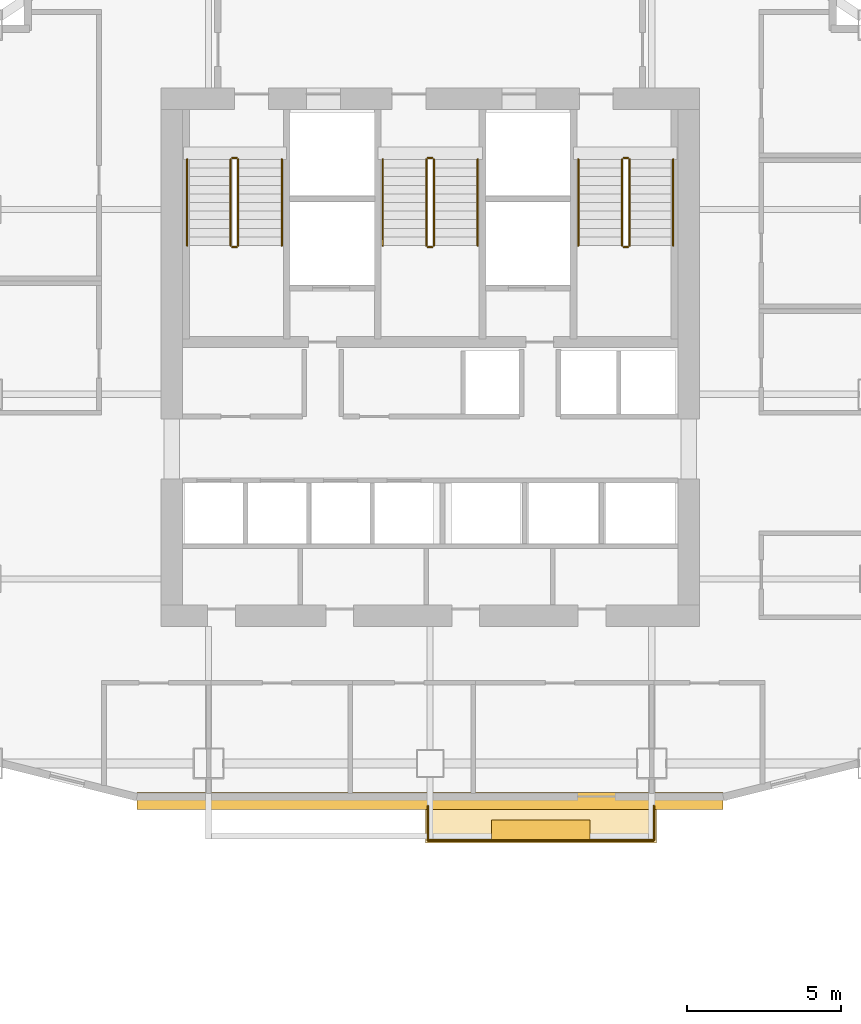
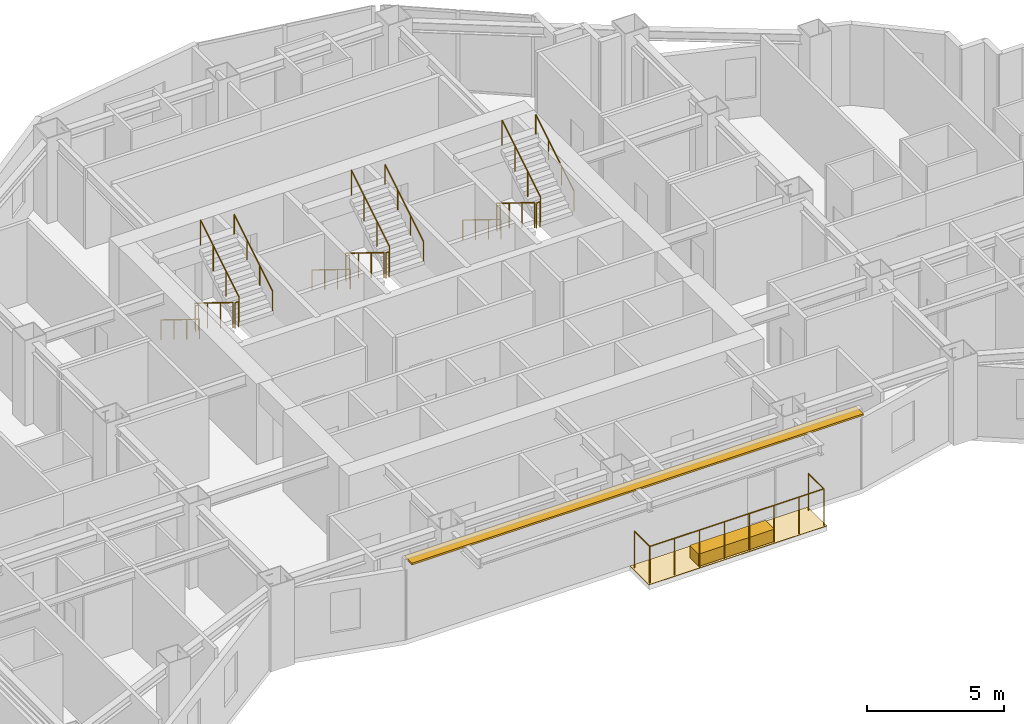
# One storey, part 13 of 13: 20 railings, 2 coverings, 1 shading device.
"""IFC4 building model written with IfcOpenShell, lengths in metres."""

from ifc_helpers import new_model, si_unit, direction, frame, origin, origin_2d, place, context, subcontext, project, spatial, polyline, rectangle, circle, outline, extrude, material, layer, layer_set, type_object, element, save


model = new_model("IFC4")

# Units and contexts
model_context = context("Model", 3, precision=1e-05, world=origin(), true_north=direction((0.0, 1.0)))
body_context = subcontext(model_context, "Body", "Model", "MODEL_VIEW")
ifc_project = project(units=[si_unit("LENGTHUNIT", "METRE"), si_unit("AREAUNIT", "SQUARE_METRE"), si_unit("VOLUMEUNIT", "CUBIC_METRE"), si_unit("PLANEANGLEUNIT", "RADIAN"), si_unit("MASSUNIT", "GRAM", prefix="KILO")], contexts=[model_context])

# Site, building, storey
site_placement = place(None, origin())
site = spatial("IfcSite", under=ifc_project, at=site_placement, CompositionType="ELEMENT")
building_placement = place(site_placement, origin())
building = spatial("IfcBuilding", under=site, at=building_placement, Name="Haolan Belvedere Tower", CompositionType="ELEMENT")
storey_placement = place(building_placement, frame((0.0, 0.0, 117.39990234375)))
storey = spatial("IfcBuildingStorey", under=building, at=storey_placement, Name="L29", CompositionType="ELEMENT", Elevation=117.39990234375)

# Coverings
ifc_material_1 = material(Name="Engineered lightweight planted garden soil substrate", Category="masonry")
ifc_layer_1 = layer(ifc_material_1, 0.550048828125, Name="Engineered lightweight planted garden soil substrate")
ifc_layer_set_1 = layer_set([ifc_layer_1], Name="Engineered lightweight planted garden soil substrate")
covering_type_1 = type_object("IfcCoveringType", Name="COV-PLANT-550", PredefinedType="MEMBRANE", material=ifc_layer_set_1)
covering_1_placement = place(storey_placement, frame((42.0, 19.43994140625, 0.0), z_axis=(0.0, 0.0, 1.0), x_axis=(1.0, 0.0, 0.0)))
element("IfcCovering", 1, at=covering_1_placement, inside=storey, type_object=covering_type_1, Name="L29 structural tree balcony PLANTER box 1", PredefinedType="MEMBRANE", context=body_context, shape_type="SweptSolid", body=[
    extrude(rectangle(XDim=3.199951171875, YDim=0.64990234375, at=origin_2d()), origin(), (0.0, 0.0, 1.0), 0.550048828125),
])
ifc_material_2 = material(Name="Elastomeric waterproof roofing membrane and stone pavers", Category="masonry")
ifc_layer_2 = layer(ifc_material_2, 0.02001953125, Name="Elastomeric waterproof roofing membrane and stone pavers")
ifc_layer_set_2 = layer_set([ifc_layer_2], Name="Elastomeric waterproof roofing membrane and stone pavers")
covering_type_2 = type_object("IfcCoveringType", Name="COV-ROOF-20", PredefinedType="ROOFING", material=ifc_layer_set_2)
covering_2_placement = place(storey_placement, frame((0.0, 0.0, -0.02001953125)))
element("IfcCovering", 2, at=covering_2_placement, inside=storey, type_object=covering_type_2, Name="L29 tree-balcony waterproof membrane 1", PredefinedType="ROOFING", context=body_context, shape_type="SweptSolid", body=[
    extrude(outline(polyline([(38.25, 19.02001953125), (45.75, 19.02001953125), (45.75, 20.39990234375), (38.25, 20.39990234375), (38.25, 19.02001953125)])), origin(), (0.0, 0.0, 1.0), 0.02001953125),
])

# Railings
ifc_material_3 = material(Name="Brushed stainless steel 304", Category="steel")
railing_type_1 = type_object("IfcRailingType", Name="RL-STAIR-GRD-1150", PredefinedType="GUARDRAIL", material=ifc_material_3)
railing_1_placement = place(storey_placement, frame((31.919921875, 41.22998046875, 0.1728515625)))
element("IfcRailing", 3, at=railing_1_placement, inside=storey, type_object=railing_type_1, Name="L29 ST1 stair guard 1", PredefinedType="GUARDRAIL", context=body_context, shape_type="SweptSolid", body=[
    extrude(circle(Radius=0.02392578125, at=origin_2d()), frame((0.0, 0.0, 1.1259765625), z_axis=(0.0, -0.851089632645, 0.525020415988), x_axis=(1.0, 0.0, 0.0)), (0.0, 0.0, 1.0), 3.2900390625),
    extrude(circle(Radius=0.02099609375, at=origin_2d()), origin(), (0.0, 0.0, 1.0), 1.101806640625),
    extrude(circle(Radius=0.02099609375, at=origin_2d()), frame((0.0, -0.933349609375, 0.57568359375)), (0.0, 0.0, 1.0), 1.101806640625),
    extrude(circle(Radius=0.02099609375, at=origin_2d()), frame((0.0, -1.86669921875, 1.151611328125)), (0.0, 0.0, 1.0), 1.101806640625),
    extrude(circle(Radius=0.02099609375, at=origin_2d()), frame((0.0, -2.800048828125, 1.727294921875)), (0.0, 0.0, 1.0), 1.101806640625),
])
railing_2_placement = place(storey_placement, frame((31.969970703125, 38.3798828125, 1.900146484375)))
element("IfcRailing", 4, at=railing_2_placement, inside=storey, type_object=railing_type_1, Name="L29 ST1 stair guard 2", PredefinedType="GUARDRAIL", context=body_context, shape_type="SweptSolid", body=[
    extrude(circle(Radius=0.02392578125, at=origin_2d()), frame((0.0, 0.0, 1.1259765625), z_axis=(1.0, 0.0, 0.0), x_axis=(0.0, 1.0, 0.0)), (0.0, 0.0, 1.0), 0.14013671875),
    extrude(circle(Radius=0.02099609375, at=origin_2d()), origin(), (0.0, 0.0, 1.0), 1.101806640625),
    extrude(circle(Radius=0.02099609375, at=origin_2d()), frame((0.14013671875, 0.0, 0.0)), (0.0, 0.0, 1.0), 1.101806640625),
])
railing_3_placement = place(storey_placement, frame((32.159912109375, 38.429931640625, 2.07275390625)))
element("IfcRailing", 5, at=railing_3_placement, inside=storey, type_object=railing_type_1, Name="L29 ST1 stair guard 3", PredefinedType="GUARDRAIL", context=body_context, shape_type="SweptSolid", body=[
    extrude(circle(Radius=0.02392578125, at=origin_2d()), frame((0.0, 0.0, 1.1259765625), z_axis=(0.0, 0.851089632645, 0.525020415988), x_axis=(-1.0, 0.0, 0.0)), (0.0, 0.0, 1.0), 3.2900390625),
    extrude(circle(Radius=0.02099609375, at=origin_2d()), origin(), (0.0, 0.0, 1.0), 1.101806640625),
    extrude(circle(Radius=0.02099609375, at=origin_2d()), frame((0.0, 0.933349609375, 0.57568359375)), (0.0, 0.0, 1.0), 1.101806640625),
    extrude(circle(Radius=0.02099609375, at=origin_2d()), frame((0.0, 1.86669921875, 1.151611328125)), (0.0, 0.0, 1.0), 1.101806640625),
    extrude(circle(Radius=0.02099609375, at=origin_2d()), frame((0.0, 2.800048828125, 1.727294921875)), (0.0, 0.0, 1.0), 1.101806640625),
])
railing_4_placement = place(storey_placement, frame((31.969970703125, 41.280029296875, 0.0)))
element("IfcRailing", 6, at=railing_4_placement, inside=storey, type_object=railing_type_1, Name="L29 ST1 stair guard 4", PredefinedType="GUARDRAIL", context=body_context, shape_type="SweptSolid", body=[
    extrude(circle(Radius=0.02392578125, at=origin_2d()), frame((0.0, 0.0, 1.1259765625), z_axis=(1.0, 0.0, 0.0), x_axis=(0.0, 1.0, 0.0)), (0.0, 0.0, 1.0), 0.14013671875),
    extrude(circle(Radius=0.02099609375, at=origin_2d()), origin(), (0.0, 0.0, 1.0), 1.101806640625),
    extrude(circle(Radius=0.02099609375, at=origin_2d()), frame((0.14013671875, 0.0, 0.0)), (0.0, 0.0, 1.0), 1.101806640625),
])
railing_5_placement = place(storey_placement, frame((38.280029296875, 41.22998046875, 0.1728515625)))
element("IfcRailing", 7, at=railing_5_placement, inside=storey, type_object=railing_type_1, Name="L29 ST3 stair guard 1", PredefinedType="GUARDRAIL", context=body_context, shape_type="SweptSolid", body=[
    extrude(circle(Radius=0.02392578125, at=origin_2d()), frame((0.0, 0.0, 1.1259765625), z_axis=(0.0, -0.851089632645, 0.525020415988), x_axis=(1.0, 0.0, 0.0)), (0.0, 0.0, 1.0), 3.2900390625),
    extrude(circle(Radius=0.02099609375, at=origin_2d()), origin(), (0.0, 0.0, 1.0), 1.101806640625),
    extrude(circle(Radius=0.02099609375, at=origin_2d()), frame((0.0, -0.933349609375, 0.57568359375)), (0.0, 0.0, 1.0), 1.101806640625),
    extrude(circle(Radius=0.02099609375, at=origin_2d()), frame((0.0, -1.86669921875, 1.151611328125)), (0.0, 0.0, 1.0), 1.101806640625),
    extrude(circle(Radius=0.02099609375, at=origin_2d()), frame((0.0, -2.800048828125, 1.727294921875)), (0.0, 0.0, 1.0), 1.101806640625),
])
railing_6_placement = place(storey_placement, frame((38.330078125, 38.3798828125, 1.900146484375)))
element("IfcRailing", 8, at=railing_6_placement, inside=storey, type_object=railing_type_1, Name="L29 ST3 stair guard 2", PredefinedType="GUARDRAIL", context=body_context, shape_type="SweptSolid", body=[
    extrude(circle(Radius=0.02392578125, at=origin_2d()), frame((0.0, 0.0, 1.1259765625), z_axis=(1.0, 0.0, 0.0), x_axis=(0.0, 1.0, 0.0)), (0.0, 0.0, 1.0), 0.139892578125),
    extrude(circle(Radius=0.02099609375, at=origin_2d()), origin(), (0.0, 0.0, 1.0), 1.101806640625),
    extrude(circle(Radius=0.02099609375, at=origin_2d()), frame((0.139892578125, 0.0, 0.0)), (0.0, 0.0, 1.0), 1.101806640625),
])
railing_7_placement = place(storey_placement, frame((38.52001953125, 38.429931640625, 2.07275390625)))
element("IfcRailing", 9, at=railing_7_placement, inside=storey, type_object=railing_type_1, Name="L29 ST3 stair guard 3", PredefinedType="GUARDRAIL", context=body_context, shape_type="SweptSolid", body=[
    extrude(circle(Radius=0.02392578125, at=origin_2d()), frame((0.0, 0.0, 1.1259765625), z_axis=(0.0, 0.851089632645, 0.525020415988), x_axis=(-1.0, 0.0, 0.0)), (0.0, 0.0, 1.0), 3.2900390625),
    extrude(circle(Radius=0.02099609375, at=origin_2d()), origin(), (0.0, 0.0, 1.0), 1.101806640625),
    extrude(circle(Radius=0.02099609375, at=origin_2d()), frame((0.0, 0.933349609375, 0.57568359375)), (0.0, 0.0, 1.0), 1.101806640625),
    extrude(circle(Radius=0.02099609375, at=origin_2d()), frame((0.0, 1.86669921875, 1.151611328125)), (0.0, 0.0, 1.0), 1.101806640625),
    extrude(circle(Radius=0.02099609375, at=origin_2d()), frame((0.0, 2.800048828125, 1.727294921875)), (0.0, 0.0, 1.0), 1.101806640625),
])
railing_8_placement = place(storey_placement, frame((38.330078125, 41.280029296875, 0.0)))
element("IfcRailing", 10, at=railing_8_placement, inside=storey, type_object=railing_type_1, Name="L29 ST3 stair guard 4", PredefinedType="GUARDRAIL", context=body_context, shape_type="SweptSolid", body=[
    extrude(circle(Radius=0.02392578125, at=origin_2d()), frame((0.0, 0.0, 1.1259765625), z_axis=(1.0, 0.0, 0.0), x_axis=(0.0, 1.0, 0.0)), (0.0, 0.0, 1.0), 0.139892578125),
    extrude(circle(Radius=0.02099609375, at=origin_2d()), origin(), (0.0, 0.0, 1.0), 1.101806640625),
    extrude(circle(Radius=0.02099609375, at=origin_2d()), frame((0.139892578125, 0.0, 0.0)), (0.0, 0.0, 1.0), 1.101806640625),
])
railing_9_placement = place(storey_placement, frame((44.639892578125, 41.22998046875, 0.1728515625)))
element("IfcRailing", 11, at=railing_9_placement, inside=storey, type_object=railing_type_1, Name="L29 ST2 stair guard 1", PredefinedType="GUARDRAIL", context=body_context, shape_type="SweptSolid", body=[
    extrude(circle(Radius=0.02392578125, at=origin_2d()), frame((0.0, 0.0, 1.1259765625), z_axis=(0.0, -0.851089632645, 0.525020415988), x_axis=(1.0, 0.0, 0.0)), (0.0, 0.0, 1.0), 3.2900390625),
    extrude(circle(Radius=0.02099609375, at=origin_2d()), origin(), (0.0, 0.0, 1.0), 1.101806640625),
    extrude(circle(Radius=0.02099609375, at=origin_2d()), frame((0.0, -0.933349609375, 0.57568359375)), (0.0, 0.0, 1.0), 1.101806640625),
    extrude(circle(Radius=0.02099609375, at=origin_2d()), frame((0.0, -1.86669921875, 1.151611328125)), (0.0, 0.0, 1.0), 1.101806640625),
    extrude(circle(Radius=0.02099609375, at=origin_2d()), frame((0.0, -2.800048828125, 1.727294921875)), (0.0, 0.0, 1.0), 1.101806640625),
])
railing_10_placement = place(storey_placement, frame((44.68994140625, 38.3798828125, 1.900146484375)))
element("IfcRailing", 12, at=railing_10_placement, inside=storey, type_object=railing_type_1, Name="L29 ST2 stair guard 2", PredefinedType="GUARDRAIL", context=body_context, shape_type="SweptSolid", body=[
    extrude(circle(Radius=0.02392578125, at=origin_2d()), frame((0.0, 0.0, 1.1259765625), z_axis=(1.0, 0.0, 0.0), x_axis=(0.0, 1.0, 0.0)), (0.0, 0.0, 1.0), 0.14013671875),
    extrude(circle(Radius=0.02099609375, at=origin_2d()), origin(), (0.0, 0.0, 1.0), 1.101806640625),
    extrude(circle(Radius=0.02099609375, at=origin_2d()), frame((0.14013671875, 0.0, 0.0)), (0.0, 0.0, 1.0), 1.101806640625),
])
railing_11_placement = place(storey_placement, frame((44.8798828125, 38.429931640625, 2.07275390625)))
element("IfcRailing", 13, at=railing_11_placement, inside=storey, type_object=railing_type_1, Name="L29 ST2 stair guard 3", PredefinedType="GUARDRAIL", context=body_context, shape_type="SweptSolid", body=[
    extrude(circle(Radius=0.02392578125, at=origin_2d()), frame((0.0, 0.0, 1.1259765625), z_axis=(0.0, 0.851089632645, 0.525020415988), x_axis=(-1.0, 0.0, 0.0)), (0.0, 0.0, 1.0), 3.2900390625),
    extrude(circle(Radius=0.02099609375, at=origin_2d()), origin(), (0.0, 0.0, 1.0), 1.101806640625),
    extrude(circle(Radius=0.02099609375, at=origin_2d()), frame((0.0, 0.933349609375, 0.57568359375)), (0.0, 0.0, 1.0), 1.101806640625),
    extrude(circle(Radius=0.02099609375, at=origin_2d()), frame((0.0, 1.86669921875, 1.151611328125)), (0.0, 0.0, 1.0), 1.101806640625),
    extrude(circle(Radius=0.02099609375, at=origin_2d()), frame((0.0, 2.800048828125, 1.727294921875)), (0.0, 0.0, 1.0), 1.101806640625),
])
railing_12_placement = place(storey_placement, frame((44.68994140625, 41.280029296875, 0.0)))
element("IfcRailing", 14, at=railing_12_placement, inside=storey, type_object=railing_type_1, Name="L29 ST2 stair guard 4", PredefinedType="GUARDRAIL", context=body_context, shape_type="SweptSolid", body=[
    extrude(circle(Radius=0.02392578125, at=origin_2d()), frame((0.0, 0.0, 1.1259765625), z_axis=(1.0, 0.0, 0.0), x_axis=(0.0, 1.0, 0.0)), (0.0, 0.0, 1.0), 0.14013671875),
    extrude(circle(Radius=0.02099609375, at=origin_2d()), origin(), (0.0, 0.0, 1.0), 1.101806640625),
    extrude(circle(Radius=0.02099609375, at=origin_2d()), frame((0.14013671875, 0.0, 0.0)), (0.0, 0.0, 1.0), 1.101806640625),
])
railing_type_2 = type_object("IfcRailingType", Name="RL-STAIR-HND-900", PredefinedType="HANDRAIL", material=ifc_material_3)
railing_13_placement = place(storey_placement, frame((30.5, 41.22998046875, 0.1728515625)))
element("IfcRailing", 15, at=railing_13_placement, inside=storey, type_object=railing_type_2, Name="L29 ST1 stair handrail 1", PredefinedType="HANDRAIL", context=body_context, shape_type="SweptSolid", body=[
    extrude(circle(Radius=0.02392578125, at=origin_2d()), frame((0.0, 0.0, 0.8759765625), z_axis=(0.0, -0.851089632645, 0.525020415988), x_axis=(1.0, 0.0, 0.0)), (0.0, 0.0, 1.0), 3.2900390625),
    extrude(circle(Radius=0.02099609375, at=origin_2d()), origin(), (0.0, 0.0, 1.0), 0.851806640625),
    extrude(circle(Radius=0.02099609375, at=origin_2d()), frame((0.0, -0.933349609375, 0.57568359375)), (0.0, 0.0, 1.0), 0.851806640625),
    extrude(circle(Radius=0.02099609375, at=origin_2d()), frame((0.0, -1.86669921875, 1.151611328125)), (0.0, 0.0, 1.0), 0.851806640625),
    extrude(circle(Radius=0.02099609375, at=origin_2d()), frame((0.0, -2.800048828125, 1.727294921875)), (0.0, 0.0, 1.0), 0.851806640625),
])
railing_14_placement = place(storey_placement, frame((33.580078125, 38.429931640625, 2.07275390625)))
element("IfcRailing", 16, at=railing_14_placement, inside=storey, type_object=railing_type_2, Name="L29 ST1 stair handrail 2", PredefinedType="HANDRAIL", context=body_context, shape_type="SweptSolid", body=[
    extrude(circle(Radius=0.02392578125, at=origin_2d()), frame((0.0, 0.0, 0.8759765625), z_axis=(0.0, 0.851089632645, 0.525020415988), x_axis=(-1.0, 0.0, 0.0)), (0.0, 0.0, 1.0), 3.2900390625),
    extrude(circle(Radius=0.02099609375, at=origin_2d()), origin(), (0.0, 0.0, 1.0), 0.851806640625),
    extrude(circle(Radius=0.02099609375, at=origin_2d()), frame((0.0, 0.933349609375, 0.57568359375)), (0.0, 0.0, 1.0), 0.851806640625),
    extrude(circle(Radius=0.02099609375, at=origin_2d()), frame((0.0, 1.86669921875, 1.151611328125)), (0.0, 0.0, 1.0), 0.851806640625),
    extrude(circle(Radius=0.02099609375, at=origin_2d()), frame((0.0, 2.800048828125, 1.727294921875)), (0.0, 0.0, 1.0), 0.851806640625),
])
railing_15_placement = place(storey_placement, frame((36.860107421875, 41.22998046875, 0.1728515625)))
element("IfcRailing", 17, at=railing_15_placement, inside=storey, type_object=railing_type_2, Name="L29 ST3 stair handrail 1", PredefinedType="HANDRAIL", context=body_context, shape_type="SweptSolid", body=[
    extrude(circle(Radius=0.02392578125, at=origin_2d()), frame((0.0, 0.0, 0.8759765625), z_axis=(0.0, -0.851089632645, 0.525020415988), x_axis=(1.0, 0.0, 0.0)), (0.0, 0.0, 1.0), 3.2900390625),
    extrude(circle(Radius=0.02099609375, at=origin_2d()), origin(), (0.0, 0.0, 1.0), 0.851806640625),
    extrude(circle(Radius=0.02099609375, at=origin_2d()), frame((0.0, -0.933349609375, 0.57568359375)), (0.0, 0.0, 1.0), 0.851806640625),
    extrude(circle(Radius=0.02099609375, at=origin_2d()), frame((0.0, -1.86669921875, 1.151611328125)), (0.0, 0.0, 1.0), 0.851806640625),
    extrude(circle(Radius=0.02099609375, at=origin_2d()), frame((0.0, -2.800048828125, 1.727294921875)), (0.0, 0.0, 1.0), 0.851806640625),
])
railing_16_placement = place(storey_placement, frame((39.93994140625, 38.429931640625, 2.07275390625)))
element("IfcRailing", 18, at=railing_16_placement, inside=storey, type_object=railing_type_2, Name="L29 ST3 stair handrail 2", PredefinedType="HANDRAIL", context=body_context, shape_type="SweptSolid", body=[
    extrude(circle(Radius=0.02392578125, at=origin_2d()), frame((0.0, 0.0, 0.8759765625), z_axis=(0.0, 0.851089632645, 0.525020415988), x_axis=(-1.0, 0.0, 0.0)), (0.0, 0.0, 1.0), 3.2900390625),
    extrude(circle(Radius=0.02099609375, at=origin_2d()), origin(), (0.0, 0.0, 1.0), 0.851806640625),
    extrude(circle(Radius=0.02099609375, at=origin_2d()), frame((0.0, 0.933349609375, 0.57568359375)), (0.0, 0.0, 1.0), 0.851806640625),
    extrude(circle(Radius=0.02099609375, at=origin_2d()), frame((0.0, 1.86669921875, 1.151611328125)), (0.0, 0.0, 1.0), 0.851806640625),
    extrude(circle(Radius=0.02099609375, at=origin_2d()), frame((0.0, 2.800048828125, 1.727294921875)), (0.0, 0.0, 1.0), 0.851806640625),
])
railing_17_placement = place(storey_placement, frame((43.219970703125, 41.22998046875, 0.1728515625)))
element("IfcRailing", 19, at=railing_17_placement, inside=storey, type_object=railing_type_2, Name="L29 ST2 stair handrail 1", PredefinedType="HANDRAIL", context=body_context, shape_type="SweptSolid", body=[
    extrude(circle(Radius=0.02392578125, at=origin_2d()), frame((0.0, 0.0, 0.8759765625), z_axis=(0.0, -0.851089632645, 0.525020415988), x_axis=(1.0, 0.0, 0.0)), (0.0, 0.0, 1.0), 3.2900390625),
    extrude(circle(Radius=0.02099609375, at=origin_2d()), origin(), (0.0, 0.0, 1.0), 0.851806640625),
    extrude(circle(Radius=0.02099609375, at=origin_2d()), frame((0.0, -0.933349609375, 0.57568359375)), (0.0, 0.0, 1.0), 0.851806640625),
    extrude(circle(Radius=0.02099609375, at=origin_2d()), frame((0.0, -1.86669921875, 1.151611328125)), (0.0, 0.0, 1.0), 0.851806640625),
    extrude(circle(Radius=0.02099609375, at=origin_2d()), frame((0.0, -2.800048828125, 1.727294921875)), (0.0, 0.0, 1.0), 0.851806640625),
])
railing_18_placement = place(storey_placement, frame((46.300048828125, 38.429931640625, 2.07275390625)))
element("IfcRailing", 20, at=railing_18_placement, inside=storey, type_object=railing_type_2, Name="L29 ST2 stair handrail 2", PredefinedType="HANDRAIL", context=body_context, shape_type="SweptSolid", body=[
    extrude(circle(Radius=0.02392578125, at=origin_2d()), frame((0.0, 0.0, 0.8759765625), z_axis=(0.0, 0.851089632645, 0.525020415988), x_axis=(-1.0, 0.0, 0.0)), (0.0, 0.0, 1.0), 3.2900390625),
    extrude(circle(Radius=0.02099609375, at=origin_2d()), origin(), (0.0, 0.0, 1.0), 0.851806640625),
    extrude(circle(Radius=0.02099609375, at=origin_2d()), frame((0.0, 0.933349609375, 0.57568359375)), (0.0, 0.0, 1.0), 0.851806640625),
    extrude(circle(Radius=0.02099609375, at=origin_2d()), frame((0.0, 1.86669921875, 1.151611328125)), (0.0, 0.0, 1.0), 0.851806640625),
    extrude(circle(Radius=0.02099609375, at=origin_2d()), frame((0.0, 2.800048828125, 1.727294921875)), (0.0, 0.0, 1.0), 0.851806640625),
])
ifc_material_4 = material(Name="Anodised aluminium and laminated glass balustrade", Category="aluminium")
railing_type_3 = type_object("IfcRailingType", Name="RL-TER-BAL-1150", PredefinedType="BALUSTRADE", material=ifc_material_4)
railing_19_placement = place(storey_placement, frame((38.330078125, 19.10009765625, 0.0)))
element("IfcRailing", 21, at=railing_19_placement, inside=storey, type_object=railing_type_3, Name="L29 outdoor perimeter balustrade BAL-L29-1-1", PredefinedType="BALUSTRADE", context=body_context, shape_type="SweptSolid", body=[
    extrude(circle(Radius=0.02392578125, at=origin_2d()), frame((0.0, 0.0, 1.6259765625), z_axis=(0.0, 1.0, 0.0), x_axis=(-1.0, 0.0, 0.0)), (0.0, 0.0, 1.0), 1.119873046875),
    extrude(circle(Radius=0.02099609375, at=origin_2d()), origin(), (0.0, 0.0, 1.0), 1.601806640625),
    extrude(circle(Radius=0.02099609375, at=origin_2d()), frame((0.0, 1.119873046875, 0.0)), (0.0, 0.0, 1.0), 1.601806640625),
])
railing_20_placement = place(storey_placement, frame((45.669921875, 20.219970703125, 0.0)))
element("IfcRailing", 22, at=railing_20_placement, inside=storey, type_object=railing_type_3, Name="L29 outdoor perimeter balustrade BAL-L29-1-2", PredefinedType="BALUSTRADE", context=body_context, shape_type="SweptSolid", body=[
    extrude(circle(Radius=0.02392578125, at=origin_2d()), frame((0.0, 0.0, 1.6259765625), z_axis=(0.0, -1.0, 0.0), x_axis=(1.0, 0.0, 0.0)), (0.0, 0.0, 1.0), 1.119873046875),
    extrude(circle(Radius=0.02392578125, at=origin_2d()), frame((0.0, -1.119873046875, 1.6259765625), z_axis=(-1.0, 0.0, 0.0), x_axis=(0.0, -1.0, 0.0)), (0.0, 0.0, 1.0), 7.33984375),
    extrude(circle(Radius=0.02099609375, at=origin_2d()), origin(), (0.0, 0.0, 1.0), 1.601806640625),
    extrude(circle(Radius=0.02099609375, at=origin_2d()), frame((0.0, -1.119873046875, 0.0)), (0.0, 0.0, 1.0), 1.601806640625),
    extrude(circle(Radius=0.02099609375, at=origin_2d()), frame((-1.048583984375, -1.119873046875, 0.0)), (0.0, 0.0, 1.0), 1.601806640625),
    extrude(circle(Radius=0.02099609375, at=origin_2d()), frame((-2.09716796875, -1.119873046875, 0.0)), (0.0, 0.0, 1.0), 1.601806640625),
    extrude(circle(Radius=0.02099609375, at=origin_2d()), frame((-3.145751953125, -1.119873046875, 0.0)), (0.0, 0.0, 1.0), 1.601806640625),
    extrude(circle(Radius=0.02099609375, at=origin_2d()), frame((-4.194091796875, -1.119873046875, 0.0)), (0.0, 0.0, 1.0), 1.601806640625),
    extrude(circle(Radius=0.02099609375, at=origin_2d()), frame((-5.24267578125, -1.119873046875, 0.0)), (0.0, 0.0, 1.0), 1.601806640625),
    extrude(circle(Radius=0.02099609375, at=origin_2d()), frame((-6.291259765625, -1.119873046875, 0.0)), (0.0, 0.0, 1.0), 1.601806640625),
    extrude(circle(Radius=0.02099609375, at=origin_2d()), frame((-7.33984375, -1.119873046875, 0.0)), (0.0, 0.0, 1.0), 1.601806640625),
])

# Shading device
ifc_material_5 = material(Name="Anodised champagne-silver aluminium 6063-T6", Category="aluminium")
ifc_layer_3 = layer(ifc_material_5, 0.080078125, Name="Anodised champagne-silver aluminium 6063-T6")
ifc_layer_set_3 = layer_set([ifc_layer_3], Name="Anodised champagne-silver aluminium 6063-T6")
shading_device_type = type_object("IfcShadingDeviceType", Name="SHD-SUN-550", PredefinedType="USERDEFINED", material=ifc_layer_set_3)
shading_device_placement = place(storey_placement, frame((38.39990234375, 20.3798828125, 3.5), z_axis=(0.0, 0.0, 1.0), x_axis=(1.0, 0.0, 0.0)))
element("IfcShadingDevice", 23, at=shading_device_placement, inside=storey, type_object=shading_device_type, Name="L29 pale-metal horizontal SUNSHADE band 7.1", ObjectType="SUNSHADE", PredefinedType="USERDEFINED", context=body_context, shape_type="SweptSolid", body=[
    extrude(rectangle(XDim=19.040283203125, YDim=0.550048828125, at=origin_2d()), origin(), (0.0, 0.0, 1.0), 0.080078125),
])

save(model, "model.ifc")
